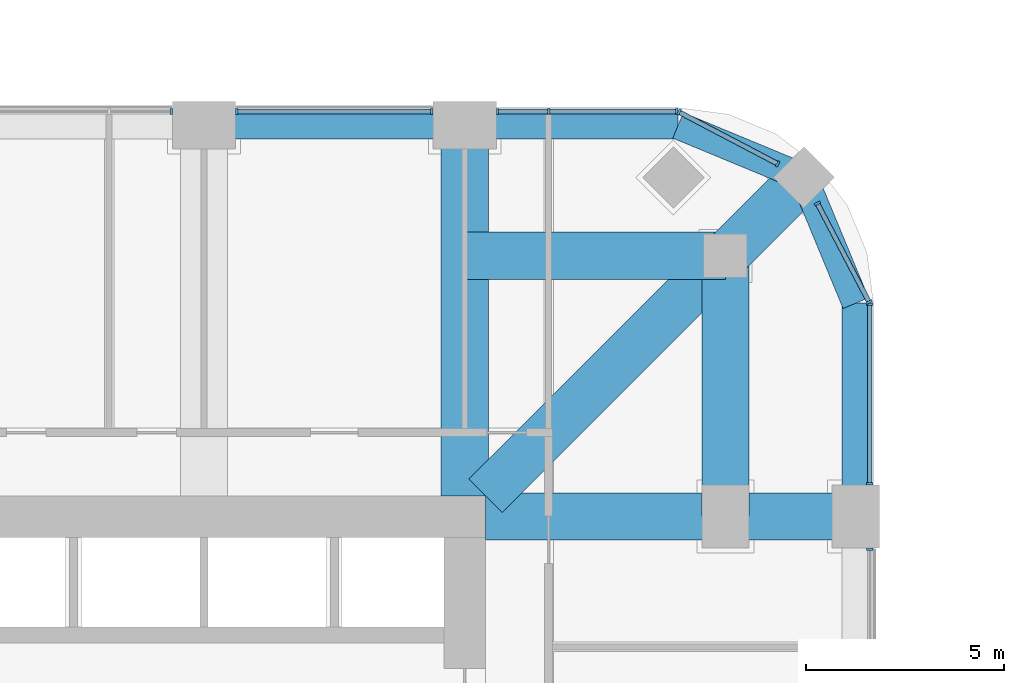
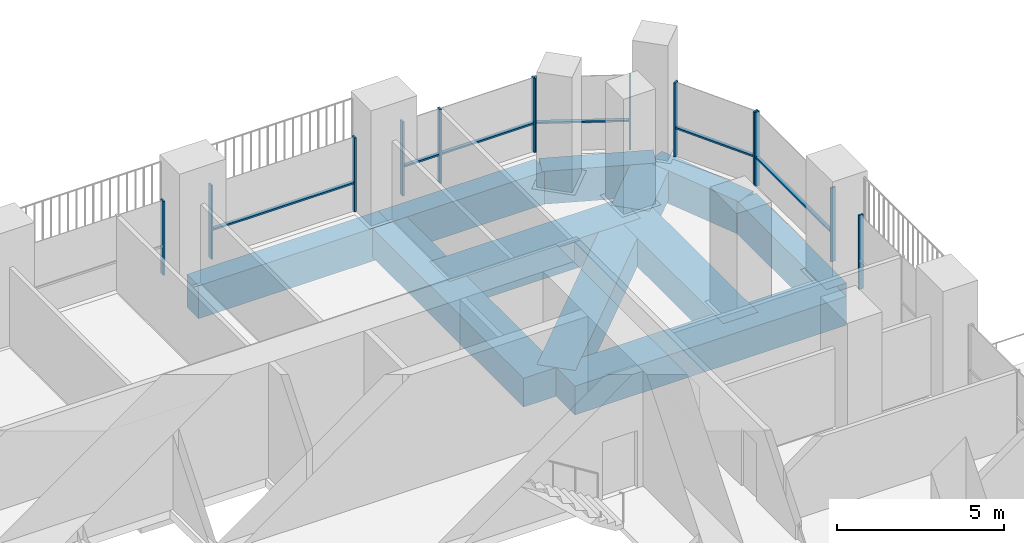
# One storey, part 7 of 20: 19 members, 11 beams, 7 elements without a shape of their own.
"""IFC4 building model written with IfcOpenShell, lengths in metres."""

import ifcopenshell
import ifcopenshell.guid

model = None  # the IFC model being written
_history = None  # IfcOwnerHistory: only IFC2X3 demands one
_inside = {}  # id of a spatial element -> (the spatial element, [elements in it])
_under = {}  # id of a project, library or spatial element -> (it, [spatial elements below it])
_declared = {}  # id of a project -> (the project, [libraries it declares])
_typed = {}  # id of a type object -> (the type object, [elements of that type])
_made_of = {}  # id of a material, layer set ... -> (it, [elements and type objects made of it])


def new_model(schema):
    """Start an empty IFC model of exactly this schema.

    Asked for "IFC4X3", IfcOpenShell would pick the latest addendum, in which some entities
    have other attributes; the version numbers below select the first issue.
    IFC2X3 requires an IfcOwnerHistory on every rooted entity: one is made here for all.
    """
    global model, _history
    if schema == "IFC4X3":
        model = ifcopenshell.file(schema_version=(4, 3, 0, 0))
    else:
        model = ifcopenshell.file(schema=schema)
    _inside.clear()
    _under.clear()
    _declared.clear()
    _typed.clear()
    _made_of.clear()
    _history = None
    if model.schema == "IFC2X3":
        org = make("IfcOrganization", Name="unknown")
        user = make(
            "IfcPersonAndOrganization",
            ThePerson=make("IfcPerson", FamilyName="unknown"),
            TheOrganization=org,
        )
        app = make(
            "IfcApplication",
            ApplicationDeveloper=org,
            Version="unknown",
            ApplicationFullName="unknown",
            ApplicationIdentifier="unknown",
        )
        _history = make(
            "IfcOwnerHistory",
            OwningUser=user,
            OwningApplication=app,
            ChangeAction="ADDED",
            CreationDate=0,
        )
    return model


def make(cls, **values):
    """One entity of the class cls with the attributes given. An attribute that is None is left unset."""
    return model.create_entity(
        cls, **{name: value for name, value in values.items() if value is not None}
    )


def rooted(cls, **values):
    """An entity with a GlobalId (a new one), such as an element, a storey or a relation."""
    return make(cls, GlobalId=ifcopenshell.guid.new(), OwnerHistory=_history, **values)


def si_unit(unit_type, name, prefix=None):
    """IfcSIUnit, for example si_unit("LENGTHUNIT", "METRE", prefix="MILLI")."""
    return make("IfcSIUnit", UnitType=unit_type, Prefix=prefix, Name=name)


def assignment(units):
    """IfcUnitAssignment: the units of a project."""
    return None if units is None else make("IfcUnitAssignment", Units=units)


def point(xyz):
    """IfcCartesianPoint."""
    return None if xyz is None else make("IfcCartesianPoint", Coordinates=xyz)


def direction(xyz):
    """IfcDirection."""
    return None if xyz is None else make("IfcDirection", DirectionRatios=xyz)


def frame(location, z_axis=None, x_axis=None):
    """IfcAxis2Placement3D, a coordinate frame: its origin and axes. An axis left out is left unset."""
    return make(
        "IfcAxis2Placement3D",
        Location=point(location),
        Axis=direction(z_axis),
        RefDirection=direction(x_axis),
    )


def frame_2d(location, x_axis=None):
    """IfcAxis2Placement2D, a coordinate frame in the plane: its origin and x axis."""
    return make(
        "IfcAxis2Placement2D", Location=point(location), RefDirection=direction(x_axis)
    )


def origin():
    """The frame at (0, 0, 0) with its axes left unset."""
    return frame((0.0, 0.0, 0.0))


def origin_2d():
    """The frame at (0, 0) in the plane with its x axis left unset."""
    return frame_2d((0.0, 0.0))


def place(relative_to, where):
    """IfcLocalPlacement: puts the frame where relative to a parent placement (None: the world)."""
    return make(
        "IfcLocalPlacement", PlacementRelTo=relative_to, RelativePlacement=where
    )


def context(
    kind, dimensions, precision=None, world=None, true_north=None, identifier=None
):
    """IfcGeometricRepresentationContext, for example the 3D "Model" context."""
    return make(
        "IfcGeometricRepresentationContext",
        ContextIdentifier=identifier,
        ContextType=kind,
        CoordinateSpaceDimension=dimensions,
        Precision=precision,
        WorldCoordinateSystem=world,
        TrueNorth=true_north,
    )


def subcontext(parent, identifier, kind, view, scale=None):
    """IfcGeometricRepresentationSubContext, for example "Body" below "Model"."""
    return make(
        "IfcGeometricRepresentationSubContext",
        ContextIdentifier=identifier,
        ContextType=kind,
        ParentContext=parent,
        TargetScale=scale,
        TargetView=view,
    )


def project(units=None, contexts=None):
    """IfcProject with its units and contexts."""
    return rooted(
        "IfcProject",
        Name="project",
        RepresentationContexts=contexts,
        UnitsInContext=assignment(units),
    )


def spatial(cls, under=None, at=None, **own):
    """A site, building, storey or space (cls), placed at a placement, below another one or the project."""
    s = rooted(cls, ObjectPlacement=at, **own)
    if under is not None:
        _under.setdefault(under.id(), (under, []))[1].append(s)
    return s


def profile(cls, at=None, kind="AREA", **sizes):
    """A parametric profile (cls). Its sizes go by their IFC names, for example OverallWidth=200.0."""
    return make(cls, ProfileType=kind, Position=at, **sizes)


def rectangle(**sizes):
    """IfcRectangleProfileDef."""
    return profile("IfcRectangleProfileDef", **sizes)


def extrude(swept, where, along, depth):
    """IfcExtrudedAreaSolid: the profile swept, set in the frame where, extruded along a direction by depth."""
    return make(
        "IfcExtrudedAreaSolid",
        SweptArea=swept,
        Position=where,
        ExtrudedDirection=direction(along),
        Depth=depth,
    )


def shape(context_of_items, identifier, shape_type, items):
    """IfcShapeRepresentation: the items that make up one representation, for example the "Body"."""
    return make(
        "IfcShapeRepresentation",
        ContextOfItems=context_of_items,
        RepresentationIdentifier=identifier,
        RepresentationType=shape_type,
        Items=items,
    )


def material(Name=None, Category=None):
    """IfcMaterial."""
    return make("IfcMaterial", Name=Name, Category=Category)


def material_profile(
    of_material, cross_section, Name=None, Category=None, Priority=None
):
    """IfcMaterialProfile: a cross section and its material."""
    return make(
        "IfcMaterialProfile",
        Name=Name,
        Material=of_material,
        Profile=cross_section,
        Priority=Priority,
        Category=Category,
    )


def profile_set(profiles, Name=None, composite=None):
    """IfcMaterialProfileSet."""
    return make(
        "IfcMaterialProfileSet",
        Name=Name,
        MaterialProfiles=profiles,
        CompositeProfile=composite,
    )


def made_of(thing, what):
    """Note that an element or type object is made of a material, layer set ...; save() writes the relation."""
    if what is not None:
        _made_of.setdefault(what.id(), (what, []))[1].append(thing)
    return thing


def type_object(cls, material=None, **own):
    """A type object (cls), such as IfcWallType, which elements share."""
    return made_of(rooted(cls, **own), material)


def element(
    cls,
    number,
    at=None,
    inside=None,
    cuts=None,
    type_object=None,
    material=None,
    context=None,
    identifier="Body",
    shape_type=None,
    held_by="IfcProductDefinitionShape",
    body=None,
    shapes=None,
    **own,
):
    """One element of the class cls, such as IfcWall. Its Tag is "e" and its number.

    at: its placement. inside: the storey or other place that contains it. cuts: it is an
    opening in that element (IfcRelVoidsElement). A single representation is given by context,
    identifier, shape_type and body (its items); several are given by shapes. held_by: the class
    of the entity that holds the representations. save() writes the other relations.
    """
    e = rooted(cls, Tag="e%d" % number, ObjectPlacement=at, **own)
    if body is not None:
        shapes = [shape(context, identifier, shape_type, body)]
    if shapes is not None:
        e.Representation = make(held_by, Representations=shapes)
    if inside is not None:
        _inside.setdefault(inside.id(), (inside, []))[1].append(e)
    if cuts is not None:
        rooted(
            "IfcRelVoidsElement", RelatingBuildingElement=cuts, RelatedOpeningElement=e
        )
    if type_object is not None:
        _typed.setdefault(type_object.id(), (type_object, []))[1].append(e)
    return made_of(e, material)


def aggregate(whole, parts):
    """IfcRelAggregates: a whole, such as a stair, and the parts it consists of."""
    return rooted("IfcRelAggregates", RelatingObject=whole, RelatedObjects=parts)


def save(model, path):
    """Write the relations noted so far, then the file.

    IfcRelAggregates (storeys below a building ...), IfcRelContainedInSpatialStructure (elements
    in a storey), IfcRelDefinesByType, IfcRelAssociatesMaterial and IfcRelDeclares: one each for
    every whole, place, type object, material and project.
    """
    for whole, parts in _under.values():
        aggregate(whole, parts)
    for where, things in _inside.values():
        rooted(
            "IfcRelContainedInSpatialStructure",
            RelatedElements=things,
            RelatingStructure=where,
        )
    for kind, things in _typed.values():
        rooted("IfcRelDefinesByType", RelatedObjects=things, RelatingType=kind)
    for what, things in _made_of.values():
        rooted("IfcRelAssociatesMaterial", RelatedObjects=things, RelatingMaterial=what)
    for by, libraries in _declared.values():
        rooted("IfcRelDeclares", RelatingContext=by, RelatedDefinitions=libraries)
    model.write(path)


model = new_model("IFC4")

# Units and contexts
model_context = context("Model", 3, precision=1e-05, world=origin(), true_north=direction((0.0, 1.0)))
body_context = subcontext(model_context, "Body", "Model", "MODEL_VIEW")
ifc_project = project(units=[si_unit("LENGTHUNIT", "METRE"), si_unit("AREAUNIT", "SQUARE_METRE"), si_unit("VOLUMEUNIT", "CUBIC_METRE"), si_unit("PLANEANGLEUNIT", "RADIAN"), si_unit("MASSUNIT", "GRAM", prefix="KILO")], contexts=[model_context])

# Site, building, storey
site_placement = place(None, origin())
site = spatial("IfcSite", under=ifc_project, at=site_placement, CompositionType="ELEMENT")
building_placement = place(site_placement, origin())
building = spatial("IfcBuilding", under=site, at=building_placement, Name="Cobogo Forest Laboratory Tower", CompositionType="ELEMENT")
storey_placement = place(building_placement, frame((0.0, 0.0, 185.10009765625)))
storey = spatial("IfcBuildingStorey", under=building, at=storey_placement, Name="L42", CompositionType="ELEMENT", Elevation=185.10009765625)

# Beams
ifc_material_1 = material(Name="Concrete HA-40 (C40/50)", Category="concrete")
ifc_material_profile_1 = material_profile(ifc_material_1, rectangle(XDim=1.199951171875, YDim=1.050048828125, at=origin_2d()), Name="RC 1200x1050")
ifc_profile_set_1 = profile_set([ifc_material_profile_1], Name="Concrete HA-40 (C40/50)")
beam_type_1 = type_object("IfcBeamType", Name="Laboratory floor wide beam 1200x1050", PredefinedType="BEAM", material=ifc_profile_set_1)
for number, where, z_axis, x_axis, name in (
    (1, (39.60009765625, 33.52490234375, -0.8251953125), (0.0, 1.0, 0.0), (-1.0, 0.0, 0.0), "RB1 R-7-N L42"),
    (2, (40.125, 33.0, -0.8251953125), (1.0, 0.0, 0.0), (0.0, 1.0, 0.0), "RB1 R-F-E L42"),
):
    element("IfcBeam", number, at=place(storey_placement, frame(where, z_axis=z_axis, x_axis=x_axis)), inside=storey, type_object=beam_type_1, Name=name, PredefinedType="BEAM", context=body_context, shape_type="SweptSolid", body=[
        extrude(rectangle(XDim=1.199951171875, YDim=1.050048828125, at=origin_2d()), origin(), (0.0, 0.0, 1.0), 9.375),
    ])
beam_1_placement = place(storey_placement, frame((46.199951171875, 39.60009765625, -0.8251953125), z_axis=(0.0, -1.0, 0.0), x_axis=(1.0, 0.0, 0.0)))
element("IfcBeam", 3, at=beam_1_placement, inside=storey, type_object=beam_type_1, Name="RB1 G-NE-XC L42", PredefinedType="BEAM", context=body_context, shape_type="SweptSolid", body=[
    extrude(rectangle(XDim=1.199951171875, YDim=1.050048828125, at=origin_2d()), origin(), (0.0, 0.0, 1.0), 6.60009765625),
])
beam_2_placement = place(storey_placement, frame((46.199951171875, 39.60009765625, -0.8251953125), z_axis=(-1.0, 0.0, 0.0), x_axis=(0.0, -1.0, 0.0)))
element("IfcBeam", 4, at=beam_2_placement, inside=storey, type_object=beam_type_1, Name="RB1 G-NE-YC L42", PredefinedType="BEAM", context=body_context, shape_type="SweptSolid", body=[
    extrude(rectangle(XDim=1.199951171875, YDim=1.050048828125, at=origin_2d()), origin(), (0.0, 0.0, 1.0), 6.599853515625),
])
beam_3_placement = place(storey_placement, frame((48.181884765625, 41.58203125, -0.8251953125), z_axis=(-0.707106781187, -0.707106781187, 0.0), x_axis=(0.707106781187, -0.707106781187, 0.0)))
element("IfcBeam", 5, at=beam_3_placement, inside=storey, type_object=beam_type_1, Name="RB1 G-NE-D1 L42", PredefinedType="BEAM", context=body_context, shape_type="SweptSolid", body=[
    extrude(rectangle(XDim=1.199951171875, YDim=1.050048828125, at=origin_2d()), origin(), (0.0, 0.0, 1.0), 2.802978515625),
])
beam_4_placement = place(storey_placement, frame((46.199951171875, 39.60009765625, -0.8251953125), z_axis=(-0.707092572697, -0.70712098939, 0.0), x_axis=(0.70712098939, -0.707092572697, 0.0)))
element("IfcBeam", 6, at=beam_4_placement, inside=storey, type_object=beam_type_1, Name="RB1 G-NE-D2 L42", PredefinedType="BEAM", context=body_context, shape_type="SweptSolid", body=[
    extrude(rectangle(XDim=1.199951171875, YDim=1.050048828125, at=origin_2d()), origin(), (0.0, 0.0, 1.0), 8.591552734375),
])

# Curtain wall, member
ifc_material_2 = material(Name="Aluminium curtain wall", Category="aluminium")
curtain_wall_type = type_object("IfcCurtainWallType", Name="CW-2 unitised curtain wall, solar control glazing, laboratory floors zones C and D", PredefinedType="USERDEFINED", material=ifc_material_2)
curtain_wall_1_placement = place(storey_placement, origin())
curtain_wall_1 = element("IfcCurtainWall", 7, at=curtain_wall_1_placement, inside=storey, type_object=curtain_wall_type, Name="Curtain wall 12 L42", ObjectType="UNITISED CURTAIN WALL", PredefinedType="USERDEFINED")
ifc_material_3 = material(Name="Aluminium mullion", Category="aluminium")
ifc_material_profile_2 = material_profile(ifc_material_3, rectangle(XDim=0.06005859375, YDim=0.159912109375, at=origin_2d()), Name="AL 60x160")
ifc_profile_set_2 = profile_set([ifc_material_profile_2], Name="Aluminium mullion")
member_type_1 = type_object("IfcMemberType", Name="MU-1 aluminium mullion 60x160", PredefinedType="MULLION", material=ifc_profile_set_2)
member_1_placement = place(storey_placement, frame((49.85009765625, 32.169921875, 0.0), z_axis=(0.0, 0.0, 1.0), x_axis=(0.0, 1.0, 0.0)))
member_1 = element("IfcMember", 8, at=member_1_placement, type_object=member_type_1, Name="CW-2 mullion 3", PredefinedType="MULLION", context=body_context, shape_type="SweptSolid", body=[
    extrude(rectangle(XDim=0.06005859375, YDim=0.159912109375, at=origin_2d()), origin(), (0.0, 0.0, 1.0), 2.699951171875),
])
aggregate(curtain_wall_1, [member_1])

# Curtain wall, members
curtain_wall_2_placement = place(storey_placement, origin())
curtain_wall_2 = element("IfcCurtainWall", 9, at=curtain_wall_2_placement, inside=storey, type_object=curtain_wall_type, Name="Curtain wall 13 L42", ObjectType="UNITISED CURTAIN WALL", PredefinedType="USERDEFINED")
member_2_placement = place(storey_placement, frame((49.85009765625, 33.830078125, 0.0), z_axis=(0.0, 0.0, 1.0), x_axis=(0.0, 1.0, 0.0)))
member_2 = element("IfcMember", 10, at=member_2_placement, type_object=member_type_1, Name="CW-2 mullion 1", PredefinedType="MULLION", context=body_context, shape_type="SweptSolid", body=[
    extrude(rectangle(XDim=0.06005859375, YDim=0.159912109375, at=origin_2d()), origin(), (0.0, 0.0, 1.0), 2.699951171875),
])
member_3_placement = place(storey_placement, frame((49.85009765625, 38.3701171875, 0.0), z_axis=(0.0, 0.0, 1.0), x_axis=(0.0, 1.0, 0.0)))
member_3 = element("IfcMember", 11, at=member_3_placement, type_object=member_type_1, Name="CW-2 mullion 2", PredefinedType="MULLION", context=body_context, shape_type="SweptSolid", body=[
    extrude(rectangle(XDim=0.06005859375, YDim=0.159912109375, at=origin_2d()), origin(), (0.0, 0.0, 1.0), 2.699951171875),
])

curtain_wall_3_placement = place(storey_placement, origin())
curtain_wall_3 = element("IfcCurtainWall", 12, at=curtain_wall_3_placement, inside=storey, type_object=curtain_wall_type, Name="Curtain wall 14 L42", ObjectType="UNITISED CURTAIN WALL", PredefinedType="USERDEFINED")
member_4_placement = place(storey_placement, frame((49.836181640625, 38.426513671875, 0.0), z_axis=(0.0, 0.0, 1.0), x_axis=(-0.464283804832, 0.885686484356, 0.0)))
member_4 = element("IfcMember", 13, at=member_4_placement, type_object=member_type_1, Name="CW-2 mullion 1", PredefinedType="MULLION", context=body_context, shape_type="SweptSolid", body=[
    extrude(rectangle(XDim=0.06005859375, YDim=0.159912109375, at=origin_2d()), origin(), (0.0, 0.0, 1.0), 2.699951171875),
])
member_5_placement = place(storey_placement, frame((48.526611328125, 40.924560546875, 0.0), z_axis=(0.0, 0.0, 1.0), x_axis=(-0.464283804832, 0.885686484356, 0.0)))
member_5 = element("IfcMember", 14, at=member_5_placement, type_object=member_type_1, Name="CW-2 mullion 2", PredefinedType="MULLION", context=body_context, shape_type="SweptSolid", body=[
    extrude(rectangle(XDim=0.06005859375, YDim=0.159912109375, at=origin_2d()), origin(), (0.0, 0.0, 1.0), 2.699951171875),
])

curtain_wall_4_placement = place(storey_placement, origin())
curtain_wall_4 = element("IfcCurtainWall", 15, at=curtain_wall_4_placement, inside=storey, type_object=curtain_wall_type, Name="Curtain wall 15 L42", ObjectType="UNITISED CURTAIN WALL", PredefinedType="USERDEFINED")
member_6_placement = place(storey_placement, frame((47.5244140625, 41.9267578125, 0.0), z_axis=(0.0, 0.0, 1.0), x_axis=(-0.885686484356, 0.464283804832, 0.0)))
member_6 = element("IfcMember", 16, at=member_6_placement, type_object=member_type_1, Name="CW-2 mullion 1", PredefinedType="MULLION", context=body_context, shape_type="SweptSolid", body=[
    extrude(rectangle(XDim=0.06005859375, YDim=0.159912109375, at=origin_2d()), origin(), (0.0, 0.0, 1.0), 2.699951171875),
])
member_7_placement = place(storey_placement, frame((45.026611328125, 43.236083984375, 0.0), z_axis=(0.0, 0.0, 1.0), x_axis=(-0.885686484356, 0.464283804832, 0.0)))
member_7 = element("IfcMember", 17, at=member_7_placement, type_object=member_type_1, Name="CW-2 mullion 2", PredefinedType="MULLION", context=body_context, shape_type="SweptSolid", body=[
    extrude(rectangle(XDim=0.06005859375, YDim=0.159912109375, at=origin_2d()), origin(), (0.0, 0.0, 1.0), 2.699951171875),
])

curtain_wall_5_placement = place(storey_placement, origin())
curtain_wall_5 = element("IfcCurtainWall", 18, at=curtain_wall_5_placement, inside=storey, type_object=curtain_wall_type, Name="Curtain wall 16 L42", ObjectType="UNITISED CURTAIN WALL", PredefinedType="USERDEFINED")
member_8_placement = place(storey_placement, frame((44.969970703125, 43.25, 0.0), z_axis=(0.0, 0.0, 1.0), x_axis=(-1.0, 0.0, 0.0)))
member_8 = element("IfcMember", 19, at=member_8_placement, type_object=member_type_1, Name="CW-2 mullion 1", PredefinedType="MULLION", context=body_context, shape_type="SweptSolid", body=[
    extrude(rectangle(XDim=0.06005859375, YDim=0.159912109375, at=origin_2d()), origin(), (0.0, 0.0, 1.0), 2.699951171875),
])
member_9_placement = place(storey_placement, frame((41.72509765625, 43.25, 0.0), z_axis=(0.0, 0.0, 1.0), x_axis=(-1.0, 0.0, 0.0)))
member_9 = element("IfcMember", 20, at=member_9_placement, type_object=member_type_1, Name="CW-2 mullion 2", PredefinedType="MULLION", context=body_context, shape_type="SweptSolid", body=[
    extrude(rectangle(XDim=0.06005859375, YDim=0.159912109375, at=origin_2d()), origin(), (0.0, 0.0, 1.0), 2.699951171875),
])
member_10_placement = place(storey_placement, frame((40.429931640625, 43.25, 0.0), z_axis=(0.0, 0.0, 1.0), x_axis=(-1.0, 0.0, 0.0)))
member_10 = element("IfcMember", 21, at=member_10_placement, type_object=member_type_1, Name="CW-2 mullion 3", PredefinedType="MULLION", context=body_context, shape_type="SweptSolid", body=[
    extrude(rectangle(XDim=0.06005859375, YDim=0.159912109375, at=origin_2d()), origin(), (0.0, 0.0, 1.0), 2.699951171875),
])

curtain_wall_6_placement = place(storey_placement, origin())
curtain_wall_6 = element("IfcCurtainWall", 22, at=curtain_wall_6_placement, inside=storey, type_object=curtain_wall_type, Name="Curtain wall 17 L42", ObjectType="UNITISED CURTAIN WALL", PredefinedType="USERDEFINED")
member_11_placement = place(storey_placement, frame((38.77001953125, 43.25, 0.0), z_axis=(0.0, 0.0, 1.0), x_axis=(-1.0, 0.0, 0.0)))
member_11 = element("IfcMember", 23, at=member_11_placement, type_object=member_type_1, Name="CW-2 mullion 1", PredefinedType="MULLION", context=body_context, shape_type="SweptSolid", body=[
    extrude(rectangle(XDim=0.06005859375, YDim=0.159912109375, at=origin_2d()), origin(), (0.0, 0.0, 1.0), 2.699951171875),
])
member_12_placement = place(storey_placement, frame((33.830078125, 43.25, 0.0), z_axis=(0.0, 0.0, 1.0), x_axis=(-1.0, 0.0, 0.0)))
member_12 = element("IfcMember", 24, at=member_12_placement, type_object=member_type_1, Name="CW-2 mullion 2", PredefinedType="MULLION", context=body_context, shape_type="SweptSolid", body=[
    extrude(rectangle(XDim=0.06005859375, YDim=0.159912109375, at=origin_2d()), origin(), (0.0, 0.0, 1.0), 2.699951171875),
])

# Curtain wall, member
curtain_wall_7_placement = place(storey_placement, origin())
curtain_wall_7 = element("IfcCurtainWall", 25, at=curtain_wall_7_placement, inside=storey, type_object=curtain_wall_type, Name="Curtain wall 18 L42", ObjectType="UNITISED CURTAIN WALL", PredefinedType="USERDEFINED")
member_13_placement = place(storey_placement, frame((32.169921875, 43.25, 0.0), z_axis=(0.0, 0.0, 1.0), x_axis=(-1.0, 0.0, 0.0)))
member_13 = element("IfcMember", 26, at=member_13_placement, type_object=member_type_1, Name="CW-2 mullion 1", PredefinedType="MULLION", context=body_context, shape_type="SweptSolid", body=[
    extrude(rectangle(XDim=0.06005859375, YDim=0.159912109375, at=origin_2d()), origin(), (0.0, 0.0, 1.0), 2.699951171875),
])
aggregate(curtain_wall_7, [member_13])

# Beams
ifc_material_profile_3 = material_profile(ifc_material_1, rectangle(XDim=0.699951171875, YDim=1.199951171875, at=origin_2d()), Name="RC 700x1200")
ifc_profile_set_3 = profile_set([ifc_material_profile_3], Name="Concrete HA-40 (C40/50)")
beam_type_2 = type_object("IfcBeamType", Name="Perimeter edge beam 700x1200", PredefinedType="BEAM", material=ifc_profile_set_3)
beam_5_placement = place(storey_placement, frame((33.0, 42.89990234375, -0.900146484375), z_axis=(1.0, 0.0, 0.0), x_axis=(0.0, 1.0, 0.0)))
element("IfcBeam", 27, at=beam_5_placement, inside=storey, type_object=beam_type_2, Name="EB1 E-N4 L42", PredefinedType="BEAM", context=body_context, shape_type="SweptSolid", body=[
    extrude(rectangle(XDim=0.699951171875, YDim=1.199951171875, at=origin_2d()), origin(), (0.0, 0.0, 1.0), 6.60009765625),
])
beam_6_placement = place(storey_placement, frame((49.5, 33.0, -0.900146484375), z_axis=(0.0, 1.0, 0.0), x_axis=(-1.0, 0.0, 0.0)))
element("IfcBeam", 28, at=beam_6_placement, inside=storey, type_object=beam_type_2, Name="EB1 E-NEE1 L42", PredefinedType="BEAM", context=body_context, shape_type="SweptSolid", body=[
    extrude(rectangle(XDim=0.699951171875, YDim=1.199951171875, at=origin_2d()), origin(), (0.0, 0.0, 1.0), 5.39990234375),
])
beam_7_placement = place(storey_placement, frame((49.5, 38.39990234375, -0.900146484375), z_axis=(-0.382691928466, 0.923876013265, 0.0), x_axis=(-0.923876013265, -0.382691928466, 0.0)))
element("IfcBeam", 29, at=beam_7_placement, inside=storey, type_object=beam_type_2, Name="EB1 E-NEE2 L42", PredefinedType="BEAM", context=body_context, shape_type="SweptSolid", body=[
    extrude(rectangle(XDim=0.699951171875, YDim=1.199951171875, at=origin_2d()), origin(), (0.0, 0.0, 1.0), 3.4443359375),
])
beam_8_placement = place(storey_placement, frame((39.60009765625, 42.89990234375, -0.900146484375), z_axis=(1.0, 0.0, 0.0), x_axis=(0.0, 1.0, 0.0)))
element("IfcBeam", 30, at=beam_8_placement, inside=storey, type_object=beam_type_2, Name="EB1 E-NEN1 L42", PredefinedType="BEAM", context=body_context, shape_type="SweptSolid", body=[
    extrude(rectangle(XDim=0.699951171875, YDim=1.199951171875, at=origin_2d()), origin(), (0.0, 0.0, 1.0), 5.39990234375),
])
beam_9_placement = place(storey_placement, frame((45.0, 42.89990234375, -0.900146484375), z_axis=(0.923890694089, -0.382656484822, 0.0), x_axis=(0.382656484822, 0.923890694089, 0.0)))
element("IfcBeam", 31, at=beam_9_placement, inside=storey, type_object=beam_type_2, Name="EB1 E-NEN2 L42", PredefinedType="BEAM", context=body_context, shape_type="SweptSolid", body=[
    extrude(rectangle(XDim=0.699951171875, YDim=1.199951171875, at=origin_2d()), origin(), (0.0, 0.0, 1.0), 3.444091796875),
])

# Member
ifc_material_4 = material(Name="Aluminium transom", Category="aluminium")
ifc_material_profile_4 = material_profile(ifc_material_4, rectangle(XDim=0.1201171875, YDim=0.06005859375, at=origin_2d()), Name="AL 60x120")
ifc_profile_set_4 = profile_set([ifc_material_profile_4], Name="Aluminium transom")
member_type_2 = type_object("IfcMemberType", Name="TR-1 aluminium transom 60x120", PredefinedType="USERDEFINED", material=ifc_profile_set_4)
member_14_placement = place(storey_placement, frame((49.85009765625, 33.860107421875, 1.0498046875), z_axis=(0.0, 1.0, 0.0), x_axis=(-1.0, 0.0, 0.0)))
member_14 = element("IfcMember", 32, at=member_14_placement, type_object=member_type_2, Name="CW-2 transom 1.1", ObjectType="TRANSOM", PredefinedType="USERDEFINED", context=body_context, shape_type="SweptSolid", body=[
    extrude(rectangle(XDim=0.1201171875, YDim=0.06005859375, at=origin_2d()), origin(), (0.0, 0.0, 1.0), 4.47998046875),
])

aggregate(curtain_wall_2, [member_2, member_3, member_14])

member_15_placement = place(storey_placement, frame((49.822021484375, 38.453125, 1.0498046875), z_axis=(-0.464254846591, 0.88570166389, 0.0), x_axis=(-0.88570166389, -0.464254846591, 0.0)))
member_15 = element("IfcMember", 33, at=member_15_placement, type_object=member_type_2, Name="CW-2 transom 1.1", ObjectType="TRANSOM", PredefinedType="USERDEFINED", context=body_context, shape_type="SweptSolid", body=[
    extrude(rectangle(XDim=0.1201171875, YDim=0.06005859375, at=origin_2d()), origin(), (0.0, 0.0, 1.0), 2.76025390625),
])

aggregate(curtain_wall_3, [member_4, member_5, member_15])

member_16_placement = place(storey_placement, frame((47.497802734375, 41.940673828125, 1.0498046875), z_axis=(-0.885682598583, 0.464291217414, 0.0), x_axis=(-0.464291217414, -0.885682598583, 0.0)))
member_16 = element("IfcMember", 34, at=member_16_placement, type_object=member_type_2, Name="CW-2 transom 1.1", ObjectType="TRANSOM", PredefinedType="USERDEFINED", context=body_context, shape_type="SweptSolid", body=[
    extrude(rectangle(XDim=0.1201171875, YDim=0.06005859375, at=origin_2d()), origin(), (0.0, 0.0, 1.0), 2.760009765625),
])

aggregate(curtain_wall_4, [member_6, member_7, member_16])

member_17_placement = place(storey_placement, frame((44.93994140625, 43.25, 1.0498046875), z_axis=(-1.0, 0.0, 0.0), x_axis=(0.0, -1.0, 0.0)))
member_17 = element("IfcMember", 35, at=member_17_placement, type_object=member_type_2, Name="CW-2 transom 1.1", ObjectType="TRANSOM", PredefinedType="USERDEFINED", context=body_context, shape_type="SweptSolid", body=[
    extrude(rectangle(XDim=0.1201171875, YDim=0.06005859375, at=origin_2d()), origin(), (0.0, 0.0, 1.0), 3.18505859375),
])

member_18_placement = place(storey_placement, frame((41.695068359375, 43.25, 1.0498046875), z_axis=(-1.0, 0.0, 0.0), x_axis=(0.0, -1.0, 0.0)))
member_18 = element("IfcMember", 36, at=member_18_placement, type_object=member_type_2, Name="CW-2 transom 2.1", ObjectType="TRANSOM", PredefinedType="USERDEFINED", context=body_context, shape_type="SweptSolid", body=[
    extrude(rectangle(XDim=0.1201171875, YDim=0.06005859375, at=origin_2d()), origin(), (0.0, 0.0, 1.0), 1.235107421875),
])

aggregate(curtain_wall_5, [member_8, member_9, member_10, member_17, member_18])

member_19_placement = place(storey_placement, frame((38.739990234375, 43.25, 1.0498046875), z_axis=(-1.0, 0.0, 0.0), x_axis=(0.0, -1.0, 0.0)))
member_19 = element("IfcMember", 37, at=member_19_placement, type_object=member_type_2, Name="CW-2 transom 1.1", ObjectType="TRANSOM", PredefinedType="USERDEFINED", context=body_context, shape_type="SweptSolid", body=[
    extrude(rectangle(XDim=0.1201171875, YDim=0.06005859375, at=origin_2d()), origin(), (0.0, 0.0, 1.0), 4.8798828125),
])

aggregate(curtain_wall_6, [member_11, member_12, member_19])

save(model, "model.ifc")
